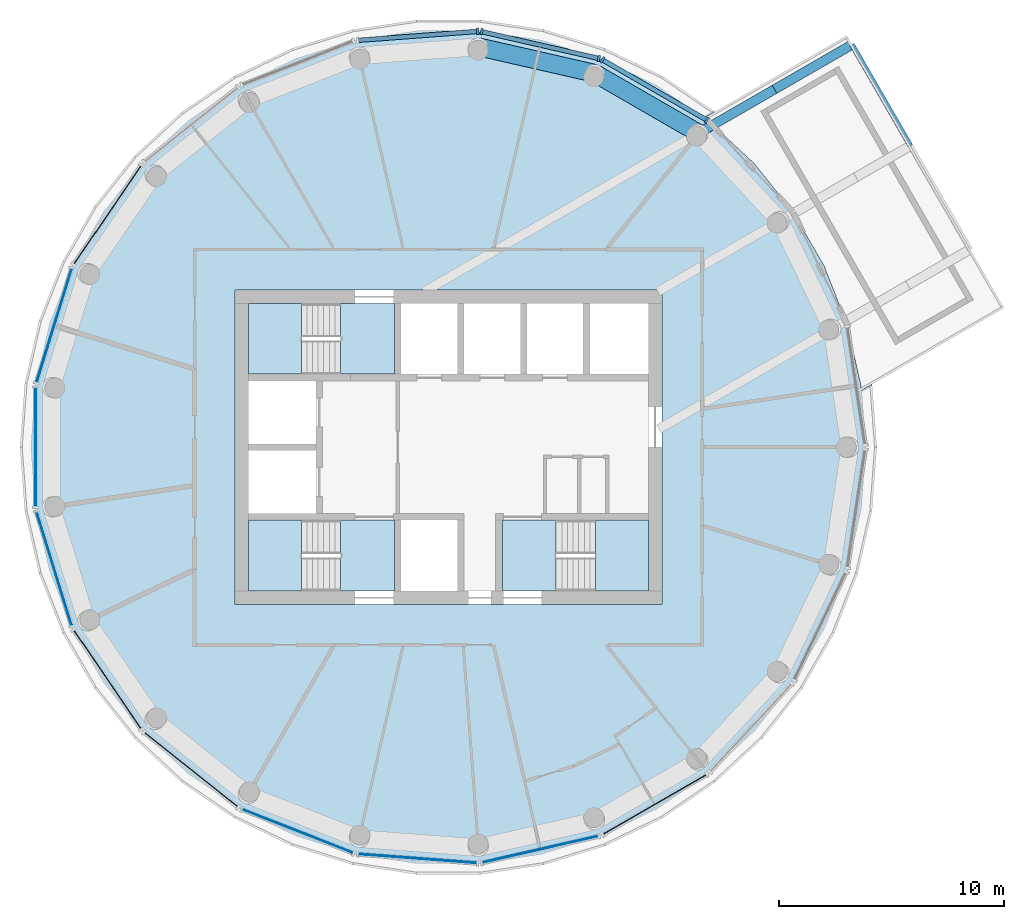
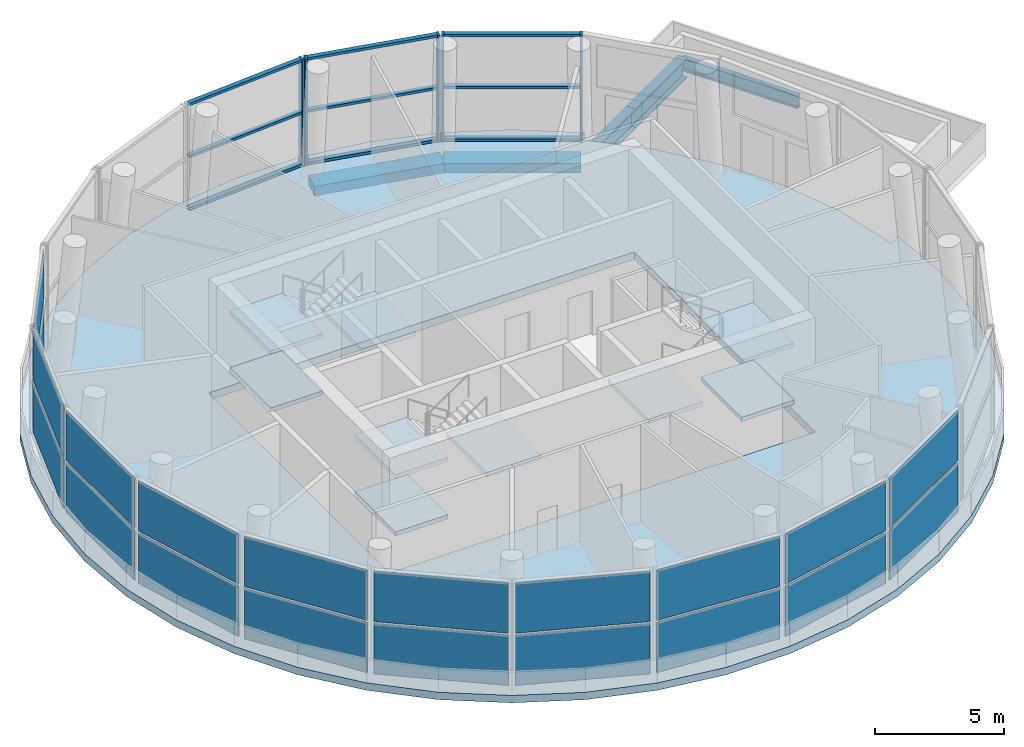
# One storey, part 3 of 10: 20 plates, 14 members, 10 slabs, 5 beams, 16 elements without a shape of their own.
"""IFC4 building model written with IfcOpenShell, lengths in metres."""

from ifc_helpers import new_model, si_unit, direction, frame, origin, origin_2d, place, context, subcontext, project, spatial, polyline, rectangle, i_section, outline, extrude, material, layer, layer_set, material_profile, profile_set, type_object, element, aggregate, save


model = new_model("IFC4")

# Units and contexts
model_context = context("Model", 3, precision=1e-05, world=origin(), true_north=direction((0.0, 1.0)))
body_context = subcontext(model_context, "Body", "Model", "MODEL_VIEW")
ifc_project = project(units=[si_unit("LENGTHUNIT", "METRE"), si_unit("AREAUNIT", "SQUARE_METRE"), si_unit("VOLUMEUNIT", "CUBIC_METRE"), si_unit("PLANEANGLEUNIT", "RADIAN"), si_unit("MASSUNIT", "GRAM", prefix="KILO")], contexts=[model_context])

# Site, building, storey
site_placement = place(None, origin())
site = spatial("IfcSite", under=ifc_project, at=site_placement, CompositionType="ELEMENT")
building_placement = place(site_placement, origin())
building = spatial("IfcBuilding", under=site, at=building_placement, Name="Tracery Tower", CompositionType="ELEMENT")
storey_placement = place(building_placement, frame((0.0, 0.0, 341.39990234375)))
storey = spatial("IfcBuildingStorey", under=building, at=storey_placement, Name="L88", CompositionType="ELEMENT", Elevation=341.39990234375)

# Beams
ifc_material_1 = material(Name="Concrete C40/50", Category="concrete")
ifc_material_profile_1 = material_profile(ifc_material_1, rectangle(XDim=0.800048828125, YDim=0.449951171875, at=origin_2d()), Name="RC 800x450")
ifc_profile_set_1 = profile_set([ifc_material_profile_1], Name="Concrete C40/50")
beam_type_1 = type_object("IfcBeamType", Name="Perimeter band beam 800x450", PredefinedType="BEAM", material=ifc_profile_set_1)
beam_1_placement = place(storey_placement, frame((11.145263671875, 13.9755859375, -0.574951171875), z_axis=(-0.866015432785, 0.500017269879, 0.0), x_axis=(-0.500017269879, -0.866015432785, 0.0)))
element("IfcBeam", 1, at=beam_1_placement, inside=storey, type_object=beam_type_1, Name="Perimeter beam 2.03 under L88", PredefinedType="BEAM", context=body_context, shape_type="SweptSolid", body=[
    extrude(rectangle(XDim=0.800048828125, YDim=0.449951171875, at=origin_2d()), origin(), (0.0, 0.0, 1.0), 5.328369140625),
])
beam_2_placement = place(storey_placement, frame((6.53076171875, 16.639892578125, -0.574951171875), z_axis=(-0.974935792582, 0.222486404849, 0.0), x_axis=(-0.222486404849, -0.974935792582, 0.0)))
element("IfcBeam", 2, at=beam_2_placement, inside=storey, type_object=beam_type_1, Name="Perimeter beam 2.04 under L88", PredefinedType="BEAM", context=body_context, shape_type="SweptSolid", body=[
    extrude(rectangle(XDim=0.800048828125, YDim=0.449951171875, at=origin_2d()), origin(), (0.0, 0.0, 1.0), 5.32861328125),
])
ifc_material_2 = material(Name="Steel S355", Category="steel")
ifc_material_profile_2 = material_profile(ifc_material_2, i_section(OverallWidth=0.42041015625, OverallDepth=0.9208984375, WebThickness=0.021484375, FlangeThickness=0.03662109375, FilletRadius=0.024169921875, at=origin_2d()), Name="UKB 914x419x388")
ifc_profile_set_2 = profile_set([ifc_material_profile_2], Name="Steel S355")
beam_type_2 = type_object("IfcBeamType", Name="Pool cantilever girder UKB 914x419x388", PredefinedType="BEAM", material=ifc_profile_set_2)
beam_3_placement = place(storey_placement, frame((11.15869140625, 13.99267578125, -0.810302734375), z_axis=(0.866043088465, 0.499969367985, 0.0), x_axis=(-0.499969367985, 0.866043088465, 0.0)))
element("IfcBeam", 3, at=beam_3_placement, inside=storey, type_object=beam_type_2, Name="Pool girder 3 cantilever 1", PredefinedType="BEAM", context=body_context, shape_type="SweptSolid", body=[
    extrude(i_section(OverallWidth=0.42041015625, OverallDepth=0.9208984375, WebThickness=0.021484375, FlangeThickness=0.03662109375, FilletRadius=0.024169921875, at=origin_2d()), origin(), (0.0, 0.0, 1.0), 3.880126953125),
])
beam_4_placement = place(storey_placement, frame((14.51904296875, 15.9326171875, -0.810302734375), z_axis=(0.86599966765, 0.500044573643, 0.0), x_axis=(-0.500044573643, 0.86599966765, 0.0)))
element("IfcBeam", 4, at=beam_4_placement, inside=storey, type_object=beam_type_2, Name="Pool girder 3 cantilever 2", PredefinedType="BEAM", context=body_context, shape_type="SweptSolid", body=[
    extrude(i_section(OverallWidth=0.42041015625, OverallDepth=0.9208984375, WebThickness=0.021484375, FlangeThickness=0.03662109375, FilletRadius=0.024169921875, at=origin_2d()), origin(), (0.0, 0.0, 1.0), 3.980224609375),
])
ifc_material_3 = material(Name="Steel S355", Category="steel")
ifc_material_profile_3 = material_profile(ifc_material_3, i_section(OverallWidth=0.228271484375, OverallDepth=0.607666015625, WebThickness=0.010986328125, FlangeThickness=0.017333984375, FilletRadius=0.0126953125, at=origin_2d()), Name="UKB 610x229x113")
ifc_profile_set_3 = profile_set([ifc_material_profile_3], Name="Steel S355")
beam_type_3 = type_object("IfcBeamType", Name="Pool tip edge beam UKB 610x229x113", PredefinedType="BEAM", material=ifc_profile_set_3)
beam_5_placement = place(storey_placement, frame((20.56640625, 13.41845703125, -0.65380859375), z_axis=(-0.49999604068, 0.866027689687, 0.0), x_axis=(-0.866027689687, -0.49999604068, 0.0)))
element("IfcBeam", 5, at=beam_5_placement, inside=storey, type_object=beam_type_3, Name="Pool tip edge beam 2", PredefinedType="BEAM", context=body_context, shape_type="SweptSolid", body=[
    extrude(i_section(OverallWidth=0.228271484375, OverallDepth=0.607666015625, WebThickness=0.010986328125, FlangeThickness=0.017333984375, FilletRadius=0.0126953125, at=origin_2d()), origin(), (0.0, 0.0, 1.0), 5.201171875),
])

# Curtain wall, members
ifc_material_4 = material(Name="Aluminium curtain wall with tinted glass", Category="aluminium")
curtain_wall_type = type_object("IfcCurtainWallType", Name="Sky pool floor glazing curtain wall", PredefinedType="NOTDEFINED", material=ifc_material_4)
curtain_wall_1_placement = place(storey_placement, origin())
curtain_wall_1 = element("IfcCurtainWall", 6, at=curtain_wall_1_placement, inside=storey, type_object=curtain_wall_type, Name="Sky pool floor glazing run 03", PredefinedType="NOTDEFINED")
ifc_material_5 = material(Name="Aluminium, bronze anodised", Category="aluminium")
ifc_material_profile_4 = material_profile(ifc_material_5, rectangle(XDim=0.280029296875, YDim=0.10009765625, at=origin_2d()), Name="Sky pool floor glazing mullion 100 x 280")
ifc_profile_set_4 = profile_set([ifc_material_profile_4], Name="Aluminium, bronze anodised")
member_type_1 = type_object("IfcMemberType", Name="Sky pool floor glazing mullion 100 x 280", PredefinedType="MULLION", material=ifc_profile_set_4)
member_1_placement = place(storey_placement, frame((11.501708984375, 14.565185546875, 0.0), z_axis=(0.0, 0.0, 1.0), x_axis=(-0.500008555939, -0.866020463954, 0.0)))
member_1 = element("IfcMember", 7, at=member_1_placement, type_object=member_type_1, Name="CWB3 mullion 1", PredefinedType="MULLION", context=body_context, shape_type="SweptSolid", body=[
    extrude(rectangle(XDim=0.280029296875, YDim=0.10009765625, at=origin_2d()), origin(), (0.0, 0.0, 1.0), 5.050048828125),
])
member_2_placement = place(storey_placement, frame((6.863037109375, 17.243408203125, 0.0), z_axis=(0.0, 0.0, 1.0), x_axis=(-0.500008555939, -0.866020463954, 0.0)))
member_2 = element("IfcMember", 8, at=member_2_placement, type_object=member_type_1, Name="CWB3 mullion 2", PredefinedType="MULLION", context=body_context, shape_type="SweptSolid", body=[
    extrude(rectangle(XDim=0.280029296875, YDim=0.10009765625, at=origin_2d()), origin(), (0.0, 0.0, 1.0), 5.050048828125),
])

curtain_wall_2_placement = place(storey_placement, origin())
curtain_wall_2 = element("IfcCurtainWall", 9, at=curtain_wall_2_placement, inside=storey, type_object=curtain_wall_type, Name="Sky pool floor glazing run 04", PredefinedType="NOTDEFINED")
member_3_placement = place(storey_placement, frame((6.697509765625, 17.308349609375, 0.0), z_axis=(0.0, 0.0, 1.0), x_axis=(-0.22252171557, -0.974927733783, 0.0)))
member_3 = element("IfcMember", 10, at=member_3_placement, type_object=member_type_1, Name="CWB3 mullion 1", PredefinedType="MULLION", context=body_context, shape_type="SweptSolid", body=[
    extrude(rectangle(XDim=0.280029296875, YDim=0.10009765625, at=origin_2d()), origin(), (0.0, 0.0, 1.0), 5.050048828125),
])
member_4_placement = place(storey_placement, frame((1.4755859375, 18.500244140625, 0.0), z_axis=(0.0, 0.0, 1.0), x_axis=(-0.22252171557, -0.974927733783, 0.0)))
member_4 = element("IfcMember", 11, at=member_4_placement, type_object=member_type_1, Name="CWB3 mullion 2", PredefinedType="MULLION", context=body_context, shape_type="SweptSolid", body=[
    extrude(rectangle(XDim=0.280029296875, YDim=0.10009765625, at=origin_2d()), origin(), (0.0, 0.0, 1.0), 5.050048828125),
])

# Curtain wall, member
curtain_wall_3_placement = place(storey_placement, origin())
curtain_wall_3 = element("IfcCurtainWall", 12, at=curtain_wall_3_placement, inside=storey, type_object=curtain_wall_type, Name="Sky pool floor glazing run 05", PredefinedType="NOTDEFINED")
member_5_placement = place(storey_placement, frame((1.298095703125, 18.513671875, 0.0), z_axis=(0.0, 0.0, 1.0), x_axis=(0.074742561292, -0.997202862777, 0.0)))
member_5 = element("IfcMember", 13, at=member_5_placement, type_object=member_type_1, Name="CWB3 mullion 1", PredefinedType="MULLION", context=body_context, shape_type="SweptSolid", body=[
    extrude(rectangle(XDim=0.280029296875, YDim=0.10009765625, at=origin_2d()), origin(), (0.0, 0.0, 1.0), 5.050048828125),
])

# Member
ifc_material_6 = material(Name="Aluminium, bronze anodised", Category="aluminium")
ifc_material_profile_5 = material_profile(ifc_material_6, rectangle(XDim=0.199951171875, YDim=0.1201171875, at=origin_2d()), Name="Sky pool floor glazing transom 120 x 200")
ifc_profile_set_5 = profile_set([ifc_material_profile_5], Name="Aluminium, bronze anodised")
member_type_2 = type_object("IfcMemberType", Name="Sky pool floor glazing transom 120 x 200", PredefinedType="USERDEFINED", material=ifc_profile_set_5)
member_6_placement = place(storey_placement, frame((11.458251953125, 14.59033203125, 0.06005859375), z_axis=(-0.866007671734, 0.500030711554, 0.0), x_axis=(-0.500030711554, -0.866007671734, 0.0)))
member_6 = element("IfcMember", 14, at=member_6_placement, type_object=member_type_2, Name="CWB3 transom 1.1", ObjectType="TRANSOM", PredefinedType="USERDEFINED", context=body_context, shape_type="SweptSolid", body=[
    extrude(rectangle(XDim=0.199951171875, YDim=0.1201171875, at=origin_2d()), origin(), (0.0, 0.0, 1.0), 5.256103515625),
])

member_7_placement = place(storey_placement, frame((11.458251953125, 14.59033203125, 2.525146484375), z_axis=(-0.866007671734, 0.500030711554, 0.0), x_axis=(-0.500030711554, -0.866007671734, 0.0)))
member_7 = element("IfcMember", 15, at=member_7_placement, type_object=member_type_2, Name="CWB3 transom 1.2", ObjectType="TRANSOM", PredefinedType="USERDEFINED", context=body_context, shape_type="SweptSolid", body=[
    extrude(rectangle(XDim=0.199951171875, YDim=0.1201171875, at=origin_2d()), origin(), (0.0, 0.0, 1.0), 5.256103515625),
])

member_8_placement = place(storey_placement, frame((11.458251953125, 14.59033203125, 4.989990234375), z_axis=(-0.866007671734, 0.500030711554, 0.0), x_axis=(-0.500030711554, -0.866007671734, 0.0)))
member_8 = element("IfcMember", 16, at=member_8_placement, type_object=member_type_2, Name="CWB3 transom 1.3", ObjectType="TRANSOM", PredefinedType="USERDEFINED", context=body_context, shape_type="SweptSolid", body=[
    extrude(rectangle(XDim=0.199951171875, YDim=0.1201171875, at=origin_2d()), origin(), (0.0, 0.0, 1.0), 5.256103515625),
])

aggregate(curtain_wall_1, [member_1, member_2, member_6, member_7, member_8])

member_9_placement = place(storey_placement, frame((6.648681640625, 17.319580078125, 0.06005859375), z_axis=(-0.974923904322, 0.222538492811, 0.0), x_axis=(-0.222538492811, -0.974923904322, 0.0)))
member_9 = element("IfcMember", 17, at=member_9_placement, type_object=member_type_2, Name="CWB3 transom 1.1", ObjectType="TRANSOM", PredefinedType="USERDEFINED", context=body_context, shape_type="SweptSolid", body=[
    extrude(rectangle(XDim=0.199951171875, YDim=0.1201171875, at=origin_2d()), origin(), (0.0, 0.0, 1.0), 5.256103515625),
])

member_10_placement = place(storey_placement, frame((6.648681640625, 17.319580078125, 2.525146484375), z_axis=(-0.974923904322, 0.222538492811, 0.0), x_axis=(-0.222538492811, -0.974923904322, 0.0)))
member_10 = element("IfcMember", 18, at=member_10_placement, type_object=member_type_2, Name="CWB3 transom 1.2", ObjectType="TRANSOM", PredefinedType="USERDEFINED", context=body_context, shape_type="SweptSolid", body=[
    extrude(rectangle(XDim=0.199951171875, YDim=0.1201171875, at=origin_2d()), origin(), (0.0, 0.0, 1.0), 5.256103515625),
])

member_11_placement = place(storey_placement, frame((6.648681640625, 17.319580078125, 4.989990234375), z_axis=(-0.974923904322, 0.222538492811, 0.0), x_axis=(-0.222538492811, -0.974923904322, 0.0)))
member_11 = element("IfcMember", 19, at=member_11_placement, type_object=member_type_2, Name="CWB3 transom 1.3", ObjectType="TRANSOM", PredefinedType="USERDEFINED", context=body_context, shape_type="SweptSolid", body=[
    extrude(rectangle(XDim=0.199951171875, YDim=0.1201171875, at=origin_2d()), origin(), (0.0, 0.0, 1.0), 5.256103515625),
])

aggregate(curtain_wall_2, [member_3, member_4, member_9, member_10, member_11])

member_12_placement = place(storey_placement, frame((1.248291015625, 18.509765625, 0.06005859375), z_axis=(-0.997203378792, -0.074735676393, 0.0), x_axis=(0.074735676393, -0.997203378792, 0.0)))
member_12 = element("IfcMember", 20, at=member_12_placement, type_object=member_type_2, Name="CWB3 transom 1.1", ObjectType="TRANSOM", PredefinedType="USERDEFINED", context=body_context, shape_type="SweptSolid", body=[
    extrude(rectangle(XDim=0.199951171875, YDim=0.1201171875, at=origin_2d()), origin(), (0.0, 0.0, 1.0), 5.256103515625),
])

member_13_placement = place(storey_placement, frame((1.248291015625, 18.509765625, 2.525146484375), z_axis=(-0.997203378792, -0.074735676393, 0.0), x_axis=(0.074735676393, -0.997203378792, 0.0)))
member_13 = element("IfcMember", 21, at=member_13_placement, type_object=member_type_2, Name="CWB3 transom 1.2", ObjectType="TRANSOM", PredefinedType="USERDEFINED", context=body_context, shape_type="SweptSolid", body=[
    extrude(rectangle(XDim=0.199951171875, YDim=0.1201171875, at=origin_2d()), origin(), (0.0, 0.0, 1.0), 5.256103515625),
])

member_14_placement = place(storey_placement, frame((1.248291015625, 18.509765625, 4.989990234375), z_axis=(-0.997203378792, -0.074735676393, 0.0), x_axis=(0.074735676393, -0.997203378792, 0.0)))
member_14 = element("IfcMember", 22, at=member_14_placement, type_object=member_type_2, Name="CWB3 transom 1.3", ObjectType="TRANSOM", PredefinedType="USERDEFINED", context=body_context, shape_type="SweptSolid", body=[
    extrude(rectangle(XDim=0.199951171875, YDim=0.1201171875, at=origin_2d()), origin(), (0.0, 0.0, 1.0), 5.256103515625),
])

aggregate(curtain_wall_3, [member_5, member_12, member_13, member_14])

# Slab
ifc_material_7 = material(Name="Concrete C40/50", Category="concrete")
ifc_layer_1 = layer(ifc_material_7, 0.35009765625)
ifc_layer_set_1 = layer_set([ifc_layer_1], Name="Crown floor slab 350")
slab_type_1 = type_object("IfcSlabType", Name="Crown floor slab 350", PredefinedType="FLOOR", material=ifc_layer_set_1)
slab_1_placement = place(storey_placement, frame((0.0, 0.0, -0.349853515625)))
element("IfcSlab", 23, at=slab_1_placement, inside=storey, type_object=slab_type_1, Name="Floor slab L88", PredefinedType="FLOOR", context=body_context, shape_type="SweptSolid", body=[
    extrude(outline(polyline([(11.57958984375, 14.520263671875), (11.382568359375, 14.654541015625), (11.86181640625, 14.931396484375), (9.5361328125, 16.51708984375), (6.968017578125, 17.75390625), (4.243896484375, 18.593994140625), (1.42529296875, 19.018798828125), (-1.42529296875, 19.018798828125), (-4.243896484375, 18.593994140625), (-6.968017578125, 17.75390625), (-9.5361328125, 16.51708984375), (-11.891357421875, 14.9111328125), (-13.98095703125, 12.972412109375), (-15.75830078125, 10.743896484375), (-17.18359375, 8.275146484375), (-18.224853515625, 5.62158203125), (-18.859130859375, 2.842529296875), (-19.072265625, 0.0), (-18.859130859375, -2.842529296875), (-18.224853515625, -5.62158203125), (-17.18359375, -8.275146484375), (-15.75830078125, -10.743896484375), (-13.98095703125, -12.972412109375), (-11.891357421875, -14.9111328125), (-9.5361328125, -16.51708984375), (-6.968017578125, -17.75390625), (-4.243896484375, -18.593994140625), (-1.42529296875, -19.018798828125), (1.42529296875, -19.018798828125), (4.243896484375, -18.593994140625), (6.968017578125, -17.75390625), (9.5361328125, -16.51708984375), (11.891357421875, -14.9111328125), (13.98095703125, -12.972412109375), (15.75830078125, -10.743896484375), (17.18359375, -8.275146484375), (18.224853515625, -5.62158203125), (18.859130859375, -2.842529296875), (19.072265625, 0.0), (18.86181640625, 2.806884765625), (18.382568359375, 2.5302734375), (18.36474609375, 2.76806640625), (17.7470703125, 5.474365234375), (16.73291015625, 8.05810546875), (15.34521484375, 10.462158203125), (13.614501953125, 12.63232421875), (11.57958984375, 14.520263671875)]), holes=[polyline([(-9.5, -7.0), (9.5, -7.0), (9.5, 7.0), (-9.5, 7.0), (-9.5, -7.0)])]), origin(), (0.0, 0.0, 1.0), 0.349853515625),
])

# Curtain wall, plates
curtain_wall_4_placement = place(storey_placement, origin())
curtain_wall_4 = element("IfcCurtainWall", 24, at=curtain_wall_4_placement, inside=storey, type_object=curtain_wall_type, Name="Sky pool floor glazing run 08", PredefinedType="NOTDEFINED")
ifc_material_8 = material(Name="Tinted laminated glass", Category="glass")
ifc_layer_2 = layer(ifc_material_8, 0.0400390625)
ifc_layer_set_2 = layer_set([ifc_layer_2], Name="Sky pool floor glazing glass panel 40")
plate_type = type_object("IfcPlateType", Name="Sky pool floor glazing glass panel 40", PredefinedType="CURTAIN_PANEL", material=ifc_layer_set_2)
plate_1_placement = place(storey_placement, frame((-15.173583984375, 10.34521484375, 0.1201171875), z_axis=(0.0, 0.0, 1.0), x_axis=(-0.563311232377, -0.826244791498, 0.0)))
plate_1 = element("IfcPlate", 25, at=plate_1_placement, type_object=plate_type, Name="CWB3 panel 1.1", PredefinedType="CURTAIN_PANEL", context=body_context, shape_type="SweptSolid", body=[
    extrude(rectangle(XDim=5.256103515625, YDim=0.0400390625, at=origin_2d()), origin(), (0.0, 0.0, 1.0), 2.344970703125),
])
plate_2_placement = place(storey_placement, frame((-15.173583984375, 10.34521484375, 2.5849609375), z_axis=(0.0, 0.0, 1.0), x_axis=(-0.563311232377, -0.826244791498, 0.0)))
plate_2 = element("IfcPlate", 26, at=plate_2_placement, type_object=plate_type, Name="CWB3 panel 1.2", PredefinedType="CURTAIN_PANEL", context=body_context, shape_type="SweptSolid", body=[
    extrude(rectangle(XDim=5.256103515625, YDim=0.0400390625, at=origin_2d()), origin(), (0.0, 0.0, 1.0), 2.344970703125),
])
aggregate(curtain_wall_4, [plate_1, plate_2])

curtain_wall_5_placement = place(storey_placement, origin())
curtain_wall_5 = element("IfcCurtainWall", 27, at=curtain_wall_5_placement, inside=storey, type_object=curtain_wall_type, Name="Sky pool floor glazing run 09", PredefinedType="NOTDEFINED")
plate_3_placement = place(storey_placement, frame((-17.548828125, 5.4130859375, 0.1201171875), z_axis=(0.0, 0.0, 1.0), x_axis=(-0.294752920979, -0.955573500875, 0.0)))
plate_3 = element("IfcPlate", 28, at=plate_3_placement, type_object=plate_type, Name="CWB3 panel 1.1", PredefinedType="CURTAIN_PANEL", context=body_context, shape_type="SweptSolid", body=[
    extrude(rectangle(XDim=5.256103515625, YDim=0.0400390625, at=origin_2d()), origin(), (0.0, 0.0, 1.0), 2.344970703125),
])
plate_4_placement = place(storey_placement, frame((-17.548828125, 5.4130859375, 2.5849609375), z_axis=(0.0, 0.0, 1.0), x_axis=(-0.294752920979, -0.955573500875, 0.0)))
plate_4 = element("IfcPlate", 29, at=plate_4_placement, type_object=plate_type, Name="CWB3 panel 1.2", PredefinedType="CURTAIN_PANEL", context=body_context, shape_type="SweptSolid", body=[
    extrude(rectangle(XDim=5.256103515625, YDim=0.0400390625, at=origin_2d()), origin(), (0.0, 0.0, 1.0), 2.344970703125),
])
aggregate(curtain_wall_5, [plate_3, plate_4])

curtain_wall_6_placement = place(storey_placement, origin())
curtain_wall_6 = element("IfcCurtainWall", 30, at=curtain_wall_6_placement, inside=storey, type_object=curtain_wall_type, Name="Sky pool floor glazing run 10", PredefinedType="NOTDEFINED")
plate_5_placement = place(storey_placement, frame((-18.36474609375, 0.0, 0.1201171875), z_axis=(0.0, 0.0, 1.0), x_axis=(0.0, -1.0, 0.0)))
plate_5 = element("IfcPlate", 31, at=plate_5_placement, type_object=plate_type, Name="CWB3 panel 1.1", PredefinedType="CURTAIN_PANEL", context=body_context, shape_type="SweptSolid", body=[
    extrude(rectangle(XDim=5.256103515625, YDim=0.0400390625, at=origin_2d()), origin(), (0.0, 0.0, 1.0), 2.344970703125),
])
plate_6_placement = place(storey_placement, frame((-18.36474609375, 0.0, 2.5849609375), z_axis=(0.0, 0.0, 1.0), x_axis=(0.0, -1.0, 0.0)))
plate_6 = element("IfcPlate", 32, at=plate_6_placement, type_object=plate_type, Name="CWB3 panel 1.2", PredefinedType="CURTAIN_PANEL", context=body_context, shape_type="SweptSolid", body=[
    extrude(rectangle(XDim=5.256103515625, YDim=0.0400390625, at=origin_2d()), origin(), (0.0, 0.0, 1.0), 2.344970703125),
])
aggregate(curtain_wall_6, [plate_5, plate_6])

curtain_wall_7_placement = place(storey_placement, origin())
curtain_wall_7 = element("IfcCurtainWall", 33, at=curtain_wall_7_placement, inside=storey, type_object=curtain_wall_type, Name="Sky pool floor glazing run 11", PredefinedType="NOTDEFINED")
plate_7_placement = place(storey_placement, frame((-17.548828125, -5.4130859375, 0.1201171875), z_axis=(0.0, 0.0, 1.0), x_axis=(0.294752920979, -0.955573500875, 0.0)))
plate_7 = element("IfcPlate", 34, at=plate_7_placement, type_object=plate_type, Name="CWB3 panel 1.1", PredefinedType="CURTAIN_PANEL", context=body_context, shape_type="SweptSolid", body=[
    extrude(rectangle(XDim=5.256103515625, YDim=0.0400390625, at=origin_2d()), origin(), (0.0, 0.0, 1.0), 2.344970703125),
])
plate_8_placement = place(storey_placement, frame((-17.548828125, -5.4130859375, 2.5849609375), z_axis=(0.0, 0.0, 1.0), x_axis=(0.294752920979, -0.955573500875, 0.0)))
plate_8 = element("IfcPlate", 35, at=plate_8_placement, type_object=plate_type, Name="CWB3 panel 1.2", PredefinedType="CURTAIN_PANEL", context=body_context, shape_type="SweptSolid", body=[
    extrude(rectangle(XDim=5.256103515625, YDim=0.0400390625, at=origin_2d()), origin(), (0.0, 0.0, 1.0), 2.344970703125),
])
aggregate(curtain_wall_7, [plate_7, plate_8])

curtain_wall_8_placement = place(storey_placement, origin())
curtain_wall_8 = element("IfcCurtainWall", 36, at=curtain_wall_8_placement, inside=storey, type_object=curtain_wall_type, Name="Sky pool floor glazing run 12", PredefinedType="NOTDEFINED")
plate_9_placement = place(storey_placement, frame((-15.173583984375, -10.34521484375, 0.1201171875), z_axis=(0.0, 0.0, 1.0), x_axis=(0.563311232377, -0.826244791498, 0.0)))
plate_9 = element("IfcPlate", 37, at=plate_9_placement, type_object=plate_type, Name="CWB3 panel 1.1", PredefinedType="CURTAIN_PANEL", context=body_context, shape_type="SweptSolid", body=[
    extrude(rectangle(XDim=5.256103515625, YDim=0.0400390625, at=origin_2d()), origin(), (0.0, 0.0, 1.0), 2.344970703125),
])
plate_10_placement = place(storey_placement, frame((-15.173583984375, -10.34521484375, 2.5849609375), z_axis=(0.0, 0.0, 1.0), x_axis=(0.563311232377, -0.826244791498, 0.0)))
plate_10 = element("IfcPlate", 38, at=plate_10_placement, type_object=plate_type, Name="CWB3 panel 1.2", PredefinedType="CURTAIN_PANEL", context=body_context, shape_type="SweptSolid", body=[
    extrude(rectangle(XDim=5.256103515625, YDim=0.0400390625, at=origin_2d()), origin(), (0.0, 0.0, 1.0), 2.344970703125),
])
aggregate(curtain_wall_8, [plate_9, plate_10])

curtain_wall_9_placement = place(storey_placement, origin())
curtain_wall_9 = element("IfcCurtainWall", 39, at=curtain_wall_9_placement, inside=storey, type_object=curtain_wall_type, Name="Sky pool floor glazing run 13", PredefinedType="NOTDEFINED")
plate_11_placement = place(storey_placement, frame((-11.4501953125, -14.358154296875, 0.1201171875), z_axis=(0.0, 0.0, 1.0), x_axis=(0.781820960898, -0.623502995262, 0.0)))
plate_11 = element("IfcPlate", 40, at=plate_11_placement, type_object=plate_type, Name="CWB3 panel 1.1", PredefinedType="CURTAIN_PANEL", context=body_context, shape_type="SweptSolid", body=[
    extrude(rectangle(XDim=5.256103515625, YDim=0.0400390625, at=origin_2d()), origin(), (0.0, 0.0, 1.0), 2.344970703125),
])
plate_12_placement = place(storey_placement, frame((-11.4501953125, -14.358154296875, 2.5849609375), z_axis=(0.0, 0.0, 1.0), x_axis=(0.781820960898, -0.623502995262, 0.0)))
plate_12 = element("IfcPlate", 41, at=plate_12_placement, type_object=plate_type, Name="CWB3 panel 1.2", PredefinedType="CURTAIN_PANEL", context=body_context, shape_type="SweptSolid", body=[
    extrude(rectangle(XDim=5.256103515625, YDim=0.0400390625, at=origin_2d()), origin(), (0.0, 0.0, 1.0), 2.344970703125),
])
aggregate(curtain_wall_9, [plate_11, plate_12])

curtain_wall_10_placement = place(storey_placement, origin())
curtain_wall_10 = element("IfcCurtainWall", 42, at=curtain_wall_10_placement, inside=storey, type_object=curtain_wall_type, Name="Sky pool floor glazing run 14", PredefinedType="NOTDEFINED")
plate_13_placement = place(storey_placement, frame((-6.70947265625, -17.09521484375, 0.1201171875), z_axis=(0.0, 0.0, 1.0), x_axis=(0.930877526426, -0.365331398589, 0.0)))
plate_13 = element("IfcPlate", 43, at=plate_13_placement, type_object=plate_type, Name="CWB3 panel 1.1", PredefinedType="CURTAIN_PANEL", context=body_context, shape_type="SweptSolid", body=[
    extrude(rectangle(XDim=5.256103515625, YDim=0.0400390625, at=origin_2d()), origin(), (0.0, 0.0, 1.0), 2.344970703125),
])
plate_14_placement = place(storey_placement, frame((-6.70947265625, -17.09521484375, 2.5849609375), z_axis=(0.0, 0.0, 1.0), x_axis=(0.930877526426, -0.365331398589, 0.0)))
plate_14 = element("IfcPlate", 44, at=plate_14_placement, type_object=plate_type, Name="CWB3 panel 1.2", PredefinedType="CURTAIN_PANEL", context=body_context, shape_type="SweptSolid", body=[
    extrude(rectangle(XDim=5.256103515625, YDim=0.0400390625, at=origin_2d()), origin(), (0.0, 0.0, 1.0), 2.344970703125),
])
aggregate(curtain_wall_10, [plate_13, plate_14])

curtain_wall_11_placement = place(storey_placement, origin())
curtain_wall_11 = element("IfcCurtainWall", 45, at=curtain_wall_11_placement, inside=storey, type_object=curtain_wall_type, Name="Sky pool floor glazing run 15", PredefinedType="NOTDEFINED")
plate_15_placement = place(storey_placement, frame((-1.372314453125, -18.3134765625, 0.1201171875), z_axis=(0.0, 0.0, 1.0), x_axis=(0.997202862777, -0.074742561292, 0.0)))
plate_15 = element("IfcPlate", 46, at=plate_15_placement, type_object=plate_type, Name="CWB3 panel 1.1", PredefinedType="CURTAIN_PANEL", context=body_context, shape_type="SweptSolid", body=[
    extrude(rectangle(XDim=5.256103515625, YDim=0.0400390625, at=origin_2d()), origin(), (0.0, 0.0, 1.0), 2.344970703125),
])
plate_16_placement = place(storey_placement, frame((-1.372314453125, -18.3134765625, 2.5849609375), z_axis=(0.0, 0.0, 1.0), x_axis=(0.997202862777, -0.074742561292, 0.0)))
plate_16 = element("IfcPlate", 47, at=plate_16_placement, type_object=plate_type, Name="CWB3 panel 1.2", PredefinedType="CURTAIN_PANEL", context=body_context, shape_type="SweptSolid", body=[
    extrude(rectangle(XDim=5.256103515625, YDim=0.0400390625, at=origin_2d()), origin(), (0.0, 0.0, 1.0), 2.344970703125),
])
aggregate(curtain_wall_11, [plate_15, plate_16])

curtain_wall_12_placement = place(storey_placement, origin())
curtain_wall_12 = element("IfcCurtainWall", 48, at=curtain_wall_12_placement, inside=storey, type_object=curtain_wall_type, Name="Sky pool floor glazing run 16", PredefinedType="NOTDEFINED")
plate_17_placement = place(storey_placement, frame((4.086669921875, -17.904296875, 0.1201171875), z_axis=(0.0, 0.0, 1.0), x_axis=(0.974927733783, 0.22252171557, 0.0)))
plate_17 = element("IfcPlate", 49, at=plate_17_placement, type_object=plate_type, Name="CWB3 panel 1.1", PredefinedType="CURTAIN_PANEL", context=body_context, shape_type="SweptSolid", body=[
    extrude(rectangle(XDim=5.256103515625, YDim=0.0400390625, at=origin_2d()), origin(), (0.0, 0.0, 1.0), 2.344970703125),
])
plate_18_placement = place(storey_placement, frame((4.086669921875, -17.904296875, 2.5849609375), z_axis=(0.0, 0.0, 1.0), x_axis=(0.974927733783, 0.22252171557, 0.0)))
plate_18 = element("IfcPlate", 50, at=plate_18_placement, type_object=plate_type, Name="CWB3 panel 1.2", PredefinedType="CURTAIN_PANEL", context=body_context, shape_type="SweptSolid", body=[
    extrude(rectangle(XDim=5.256103515625, YDim=0.0400390625, at=origin_2d()), origin(), (0.0, 0.0, 1.0), 2.344970703125),
])
aggregate(curtain_wall_12, [plate_17, plate_18])

curtain_wall_13_placement = place(storey_placement, origin())
curtain_wall_13 = element("IfcCurtainWall", 51, at=curtain_wall_13_placement, inside=storey, type_object=curtain_wall_type, Name="Sky pool floor glazing run 17", PredefinedType="NOTDEFINED")
plate_19_placement = place(storey_placement, frame((9.182373046875, -15.904296875, 0.1201171875), z_axis=(0.0, 0.0, 1.0), x_axis=(0.866020463954, 0.500008555939, 0.0)))
plate_19 = element("IfcPlate", 52, at=plate_19_placement, type_object=plate_type, Name="CWB3 panel 1.1", PredefinedType="CURTAIN_PANEL", context=body_context, shape_type="SweptSolid", body=[
    extrude(rectangle(XDim=5.256103515625, YDim=0.0400390625, at=origin_2d()), origin(), (0.0, 0.0, 1.0), 2.344970703125),
])
plate_20_placement = place(storey_placement, frame((9.182373046875, -15.904296875, 2.5849609375), z_axis=(0.0, 0.0, 1.0), x_axis=(0.866020463954, 0.500008555939, 0.0)))
plate_20 = element("IfcPlate", 53, at=plate_20_placement, type_object=plate_type, Name="CWB3 panel 1.2", PredefinedType="CURTAIN_PANEL", context=body_context, shape_type="SweptSolid", body=[
    extrude(rectangle(XDim=5.256103515625, YDim=0.0400390625, at=origin_2d()), origin(), (0.0, 0.0, 1.0), 2.344970703125),
])
aggregate(curtain_wall_13, [plate_19, plate_20])

# Stair, slabs
ifc_material_9 = material(Name="Concrete C32/40", Category="concrete")
stair_type = type_object("IfcStairType", Name="Core stair 32 risers", PredefinedType="HALF_TURN_STAIR", material=ifc_material_9)
stair_1_placement = place(storey_placement, origin())
stair_1 = element("IfcStair", 54, at=stair_1_placement, inside=storey, type_object=stair_type, Name="L88 stair ST1", PredefinedType="HALF_TURN_STAIR")
ifc_material_10 = material(Name="Concrete C32/40", Category="concrete")
ifc_layer_3 = layer(ifc_material_10, 0.199951171875)
ifc_layer_set_3 = layer_set([ifc_layer_3], Name="Stair landing slab 200")
slab_type_2 = type_object("IfcSlabType", Name="Stair landing slab 200", PredefinedType="LANDING", material=ifc_layer_set_3)
slab_2_placement = place(storey_placement, frame((0.0, 0.0, 1.150146484375)))
slab_2 = element("IfcSlab", 55, at=slab_2_placement, type_object=slab_type_2, Name="ST1 landing 1", PredefinedType="LANDING", context=body_context, shape_type="SweptSolid", body=[
    extrude(outline(polyline([(-6.54931640625, -3.25), (-8.89990234375, -3.25), (-8.89990234375, -6.39990234375), (-6.54931640625, -6.39990234375), (-6.54931640625, -3.25)])), origin(), (0.0, 0.0, 1.0), 0.199951171875),
])
slab_3_placement = place(storey_placement, frame((0.0, 0.0, 2.5)))
slab_3 = element("IfcSlab", 56, at=slab_3_placement, type_object=slab_type_2, Name="ST1 landing 2", PredefinedType="LANDING", context=body_context, shape_type="SweptSolid", body=[
    extrude(outline(polyline([(-2.39990234375, -3.25), (-4.800537109375, -3.25), (-4.800537109375, -6.39990234375), (-2.39990234375, -6.39990234375), (-2.39990234375, -3.25)])), origin(), (0.0, 0.0, 1.0), 0.2001953125),
])
slab_4_placement = place(storey_placement, frame((0.0, 0.0, 3.85009765625)))
slab_4 = element("IfcSlab", 57, at=slab_4_placement, type_object=slab_type_2, Name="ST1 landing 3", PredefinedType="LANDING", context=body_context, shape_type="SweptSolid", body=[
    extrude(outline(polyline([(-6.54931640625, -3.25), (-8.89990234375, -3.25), (-8.89990234375, -6.39990234375), (-6.54931640625, -6.39990234375), (-6.54931640625, -3.25)])), origin(), (0.0, 0.0, 1.0), 0.199951171875),
])
aggregate(stair_1, [slab_2, slab_3, slab_4])

stair_2_placement = place(storey_placement, origin())
stair_2 = element("IfcStair", 58, at=stair_2_placement, inside=storey, type_object=stair_type, Name="L88 stair ST3", PredefinedType="HALF_TURN_STAIR")
slab_5_placement = place(storey_placement, frame((0.0, 0.0, 1.150146484375)))
slab_5 = element("IfcSlab", 59, at=slab_5_placement, type_object=slab_type_2, Name="ST3 landing 1", PredefinedType="LANDING", context=body_context, shape_type="SweptSolid", body=[
    extrude(outline(polyline([(-6.54931640625, 6.39990234375), (-8.89990234375, 6.39990234375), (-8.89990234375, 3.25), (-6.54931640625, 3.25), (-6.54931640625, 6.39990234375)])), origin(), (0.0, 0.0, 1.0), 0.199951171875),
])
slab_6_placement = place(storey_placement, frame((0.0, 0.0, 2.5)))
slab_6 = element("IfcSlab", 60, at=slab_6_placement, type_object=slab_type_2, Name="ST3 landing 2", PredefinedType="LANDING", context=body_context, shape_type="SweptSolid", body=[
    extrude(outline(polyline([(-2.39990234375, 6.39990234375), (-4.800537109375, 6.39990234375), (-4.800537109375, 3.25), (-2.39990234375, 3.25), (-2.39990234375, 6.39990234375)])), origin(), (0.0, 0.0, 1.0), 0.2001953125),
])
slab_7_placement = place(storey_placement, frame((0.0, 0.0, 3.85009765625)))
slab_7 = element("IfcSlab", 61, at=slab_7_placement, type_object=slab_type_2, Name="ST3 landing 3", PredefinedType="LANDING", context=body_context, shape_type="SweptSolid", body=[
    extrude(outline(polyline([(-6.54931640625, 6.39990234375), (-8.89990234375, 6.39990234375), (-8.89990234375, 3.25), (-6.54931640625, 3.25), (-6.54931640625, 6.39990234375)])), origin(), (0.0, 0.0, 1.0), 0.199951171875),
])
aggregate(stair_2, [slab_5, slab_6, slab_7])

stair_3_placement = place(storey_placement, origin())
stair_3 = element("IfcStair", 62, at=stair_3_placement, inside=storey, type_object=stair_type, Name="L88 stair ST2", PredefinedType="HALF_TURN_STAIR")
slab_8_placement = place(storey_placement, frame((0.0, 0.0, 1.150146484375)))
slab_8 = element("IfcSlab", 63, at=slab_8_placement, type_object=slab_type_2, Name="ST2 landing 1", PredefinedType="LANDING", context=body_context, shape_type="SweptSolid", body=[
    extrude(outline(polyline([(6.54931640625, -6.39990234375), (8.89990234375, -6.39990234375), (8.89990234375, -3.25), (6.54931640625, -3.25), (6.54931640625, -6.39990234375)])), origin(), (0.0, 0.0, 1.0), 0.199951171875),
])
slab_9_placement = place(storey_placement, frame((0.0, 0.0, 2.5)))
slab_9 = element("IfcSlab", 64, at=slab_9_placement, type_object=slab_type_2, Name="ST2 landing 2", PredefinedType="LANDING", context=body_context, shape_type="SweptSolid", body=[
    extrude(outline(polyline([(2.39990234375, -6.39990234375), (4.800537109375, -6.39990234375), (4.800537109375, -3.25), (2.39990234375, -3.25), (2.39990234375, -6.39990234375)])), origin(), (0.0, 0.0, 1.0), 0.2001953125),
])
slab_10_placement = place(storey_placement, frame((0.0, 0.0, 3.85009765625)))
slab_10 = element("IfcSlab", 65, at=slab_10_placement, type_object=slab_type_2, Name="ST2 landing 3", PredefinedType="LANDING", context=body_context, shape_type="SweptSolid", body=[
    extrude(outline(polyline([(6.54931640625, -6.39990234375), (8.89990234375, -6.39990234375), (8.89990234375, -3.25), (6.54931640625, -3.25), (6.54931640625, -6.39990234375)])), origin(), (0.0, 0.0, 1.0), 0.199951171875),
])
aggregate(stair_3, [slab_8, slab_9, slab_10])

save(model, "model.ifc")
